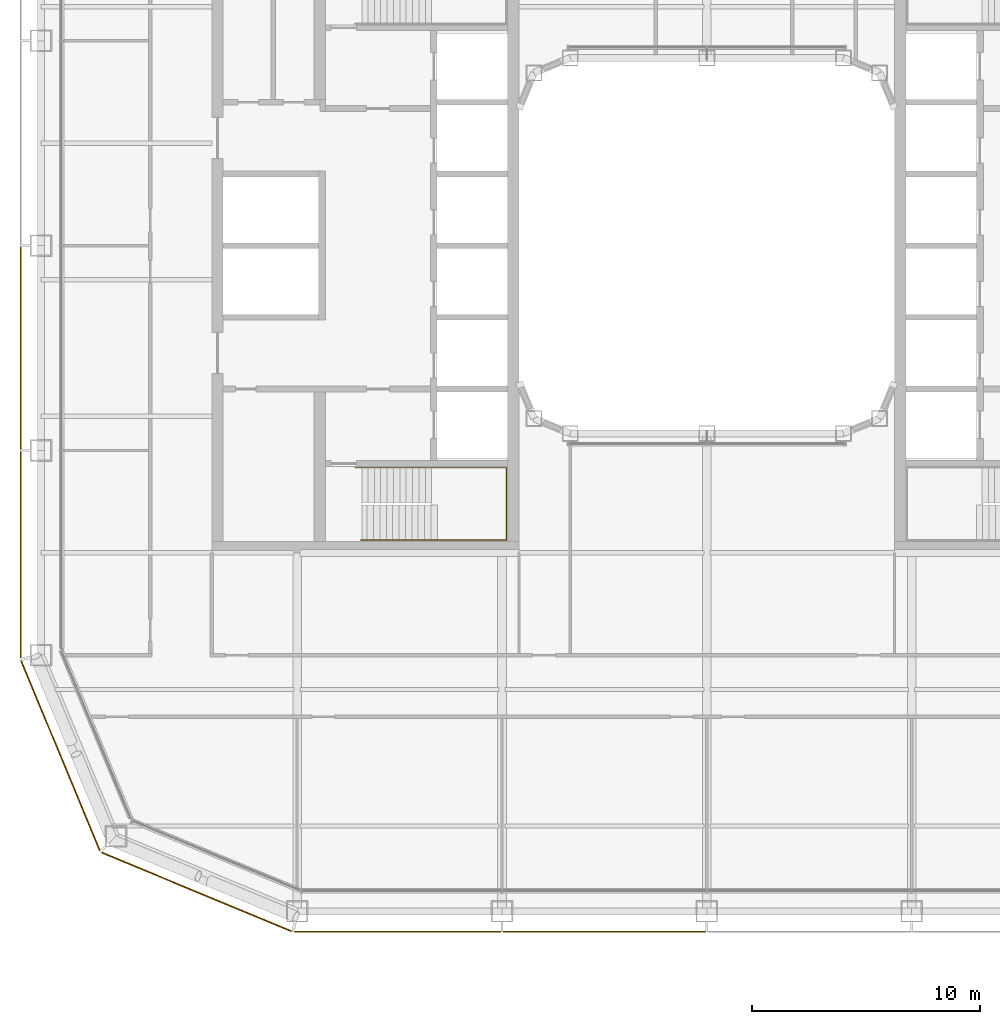
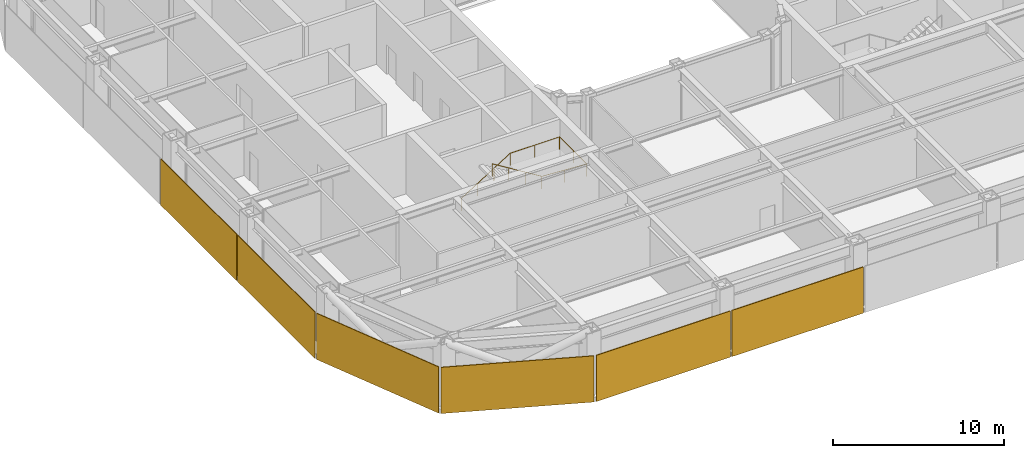
# One storey, part 18 of 23: 6 coverings, 1 railing.
"""IFC4 building model written with IfcOpenShell, lengths in metres."""

from ifc_helpers import new_model, si_unit, direction, frame, origin, origin_2d, place, context, subcontext, project, spatial, rectangle, circle, extrude, material, layer, layer_set, type_object, element, save


model = new_model("IFC4")

# Units and contexts
model_context = context("Model", 3, precision=1e-05, world=origin(), true_north=direction((0.0, 1.0)))
body_context = subcontext(model_context, "Body", "Model", "MODEL_VIEW")
ifc_project = project(units=[si_unit("LENGTHUNIT", "METRE"), si_unit("AREAUNIT", "SQUARE_METRE"), si_unit("VOLUMEUNIT", "CUBIC_METRE"), si_unit("PLANEANGLEUNIT", "RADIAN"), si_unit("MASSUNIT", "GRAM", prefix="KILO")], contexts=[model_context])

# Site, building, storey
site_placement = place(None, origin())
site = spatial("IfcSite", under=ifc_project, at=site_placement, CompositionType="ELEMENT")
building_placement = place(site_placement, origin())
building = spatial("IfcBuilding", under=site, at=building_placement, Name="Siwar Civic Tower", CompositionType="ELEMENT")
storey_placement = place(building_placement, frame((0.0, 0.0, 127.199951171875)))
storey = spatial("IfcBuildingStorey", under=building, at=storey_placement, Name="L27", CompositionType="ELEMENT", Elevation=127.199951171875)

# Railing
ifc_material_1 = material(Name="Stainless steel", Category="steel")
railing_type = type_object("IfcRailingType", Name="CORE-STAIR-HANDRAIL", PredefinedType="HANDRAIL", material=ifc_material_1)
railing_placement = place(storey_placement, frame((-15.449951171875, -9.758056640625, 0.173095703125)))
element("IfcRailing", 1, at=railing_placement, inside=storey, type_object=railing_type, Name="Stair handrail ST2", PredefinedType="HANDRAIL", context=body_context, shape_type="SweptSolid", body=[
    extrude(circle(Radius=0.02001953125, at=origin_2d()), frame((0.0, 0.0, 0.8798828125), z_axis=(0.847063342986, 0.0, 0.531491950051), x_axis=(0.0, 1.0, 0.0)), (0.0, 0.0, 1.0), 3.90771484375),
    extrude(circle(Radius=0.02001953125, at=origin_2d()), frame((3.31005859375, 0.0, 2.956787109375), z_axis=(1.0, 0.0, 0.0), x_axis=(0.0, 1.0, 0.0)), (0.0, 0.0, 1.0), 3.331787109375),
    extrude(circle(Radius=0.02001953125, at=origin_2d()), frame((6.641845703125, 0.0, 2.956787109375), z_axis=(0.0, -1.0, 0.0), x_axis=(1.0, 0.0, 0.0)), (0.0, 0.0, 1.0), 3.183837890625),
    extrude(circle(Radius=0.02001953125, at=origin_2d()), frame((6.641845703125, -3.183837890625, 2.956787109375), z_axis=(-0.99837434197, 0.0, 0.056997134106), x_axis=(0.0, -1.0, 0.0)), (0.0, 0.0, 1.0), 3.036865234375),
    extrude(circle(Radius=0.02001953125, at=origin_2d()), frame((3.60986328125, -3.183837890625, 3.1298828125), z_axis=(-0.850606129759, 0.0, 0.525803396734), x_axis=(0.0, -1.0, 0.0)), (0.0, 0.0, 1.0), 3.949951171875),
    extrude(circle(Radius=0.02001953125, at=origin_2d()), origin(), (0.0, 0.0, 1.0), 0.85986328125),
    extrude(circle(Radius=0.02001953125, at=origin_2d()), frame((1.103271484375, 0.0, 0.6923828125)), (0.0, 0.0, 1.0), 0.85986328125),
    extrude(circle(Radius=0.02001953125, at=origin_2d()), frame((2.206787109375, 0.0, 1.384521484375)), (0.0, 0.0, 1.0), 0.85986328125),
    extrude(circle(Radius=0.02001953125, at=origin_2d()), frame((3.31005859375, 0.0, 2.076904296875)), (0.0, 0.0, 1.0), 0.85986328125),
    extrude(circle(Radius=0.02001953125, at=origin_2d()), frame((4.97607421875, 0.0, 2.076904296875)), (0.0, 0.0, 1.0), 0.85986328125),
    extrude(circle(Radius=0.02001953125, at=origin_2d()), frame((6.641845703125, 0.0, 2.076904296875)), (0.0, 0.0, 1.0), 0.85986328125),
    extrude(circle(Radius=0.02001953125, at=origin_2d()), frame((6.641845703125, -1.591796875, 2.076904296875)), (0.0, 0.0, 1.0), 0.85986328125),
    extrude(circle(Radius=0.02001953125, at=origin_2d()), frame((6.641845703125, -3.183837890625, 2.076904296875)), (0.0, 0.0, 1.0), 0.85986328125),
    extrude(circle(Radius=0.02001953125, at=origin_2d()), frame((5.1259765625, -3.183837890625, 2.16357421875)), (0.0, 0.0, 1.0), 0.85986328125),
    extrude(circle(Radius=0.02001953125, at=origin_2d()), frame((3.60986328125, -3.183837890625, 2.25)), (0.0, 0.0, 1.0), 0.85986328125),
    extrude(circle(Radius=0.02001953125, at=origin_2d()), frame((2.489990234375, -3.183837890625, 2.9423828125)), (0.0, 0.0, 1.0), 0.85986328125),
    extrude(circle(Radius=0.02001953125, at=origin_2d()), frame((1.369873046875, -3.183837890625, 3.634521484375)), (0.0, 0.0, 1.0), 0.85986328125),
    extrude(circle(Radius=0.02001953125, at=origin_2d()), frame((0.25, -3.183837890625, 4.326904296875)), (0.0, 0.0, 1.0), 0.85986328125),
])

# Coverings
ifc_material_2 = material(Name="Perforated aluminium cassette, pale metal", Category="aluminium")
ifc_layer_1 = layer(ifc_material_2, 0.050048828125)
ifc_layer_set_1 = layer_set([ifc_layer_1], Name="Perforated aluminium cassette, pale metal")
covering_type_1 = type_object("IfcCoveringType", Name="ENV-OUTER SKIN OS-3", PredefinedType="CLADDING", material=ifc_layer_set_1)
covering_1_placement = place(storey_placement, frame((-30.14990234375, -4.5, -0.14990234375), z_axis=(0.0, 0.0, 1.0), x_axis=(0.0, -1.0, 0.0)))
element("IfcCovering", 2, at=covering_1_placement, inside=storey, type_object=covering_type_1, Name="OUTER SKIN OS-3 W 3", PredefinedType="CLADDING", context=body_context, shape_type="SweptSolid", body=[
    extrude(rectangle(XDim=8.89990234375, YDim=0.050048828125, at=origin_2d()), origin(), (0.0, 0.0, 1.0), 3.300048828125),
])
covering_2_placement = place(storey_placement, frame((-30.14990234375, -13.57958984375, -0.14990234375), z_axis=(0.0, 0.0, 1.0), x_axis=(0.0, -1.0, 0.0)))
element("IfcCovering", 3, at=covering_2_placement, inside=storey, type_object=covering_type_1, Name="OUTER SKIN OS-3 W 4", PredefinedType="CLADDING", context=body_context, shape_type="SweptSolid", body=[
    extrude(rectangle(XDim=9.05908203125, YDim=0.050048828125, at=origin_2d()), origin(), (0.0, 0.0, 1.0), 3.300048828125),
])
ifc_material_3 = material(Name="Perforated aluminium cassette, pale metal", Category="aluminium")
ifc_layer_2 = layer(ifc_material_3, 0.054931640625)
ifc_layer_set_2 = layer_set([ifc_layer_2], Name="Perforated aluminium cassette, pale metal")
covering_type_2 = type_object("IfcCoveringType", Name="ENV-OUTER SKIN OS-4", PredefinedType="CLADDING", material=ifc_layer_set_2)
covering_3_placement = place(storey_placement, frame((-13.57958984375, -30.14990234375, -0.14990234375), z_axis=(0.0, 0.0, 1.0), x_axis=(1.0, 0.0, 0.0)))
element("IfcCovering", 4, at=covering_3_placement, inside=storey, type_object=covering_type_2, Name="OUTER SKIN OS-4 S 1", PredefinedType="CLADDING", context=body_context, shape_type="SweptSolid", body=[
    extrude(rectangle(XDim=9.05908203125, YDim=0.054931640625, at=origin_2d()), origin(), (0.0, 0.0, 1.0), 3.300048828125),
])
covering_4_placement = place(storey_placement, frame((-4.5, -30.14990234375, -0.14990234375), z_axis=(0.0, 0.0, 1.0), x_axis=(1.0, 0.0, 0.0)))
element("IfcCovering", 5, at=covering_4_placement, inside=storey, type_object=covering_type_2, Name="OUTER SKIN OS-4 S 2", PredefinedType="CLADDING", context=body_context, shape_type="SweptSolid", body=[
    extrude(rectangle(XDim=8.89990234375, YDim=0.054931640625, at=origin_2d()), origin(), (0.0, 0.0, 1.0), 3.300048828125),
])
for number, where, z_axis, x_axis, name in (
    (6, (-28.39697265625, -22.411376953125, -0.14990234375), (0.0, 0.0, 1.0), (0.382683432365, -0.923879532511, 0.0), "OUTER SKIN OS-4 SW1 1"),
    (7, (-22.411376953125, -28.39697265625, -0.14990234375), (0.0, 0.0, 1.0), (0.923879532511, -0.382683432365, 0.0), "OUTER SKIN OS-4 SW2 1"),
):
    element("IfcCovering", number, at=place(storey_placement, frame(where, z_axis=z_axis, x_axis=x_axis)), inside=storey, type_object=covering_type_2, Name=name, PredefinedType="CLADDING", context=body_context, shape_type="SweptSolid", body=[
        extrude(rectangle(XDim=9.022216796875, YDim=0.054931640625, at=origin_2d()), origin(), (0.0, 0.0, 1.0), 3.300048828125),
    ])

save(model, "model.ifc")
